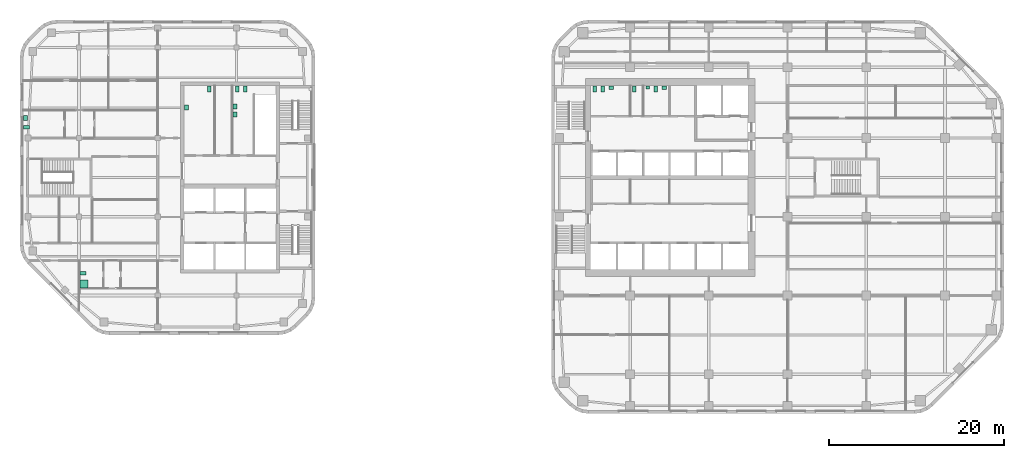
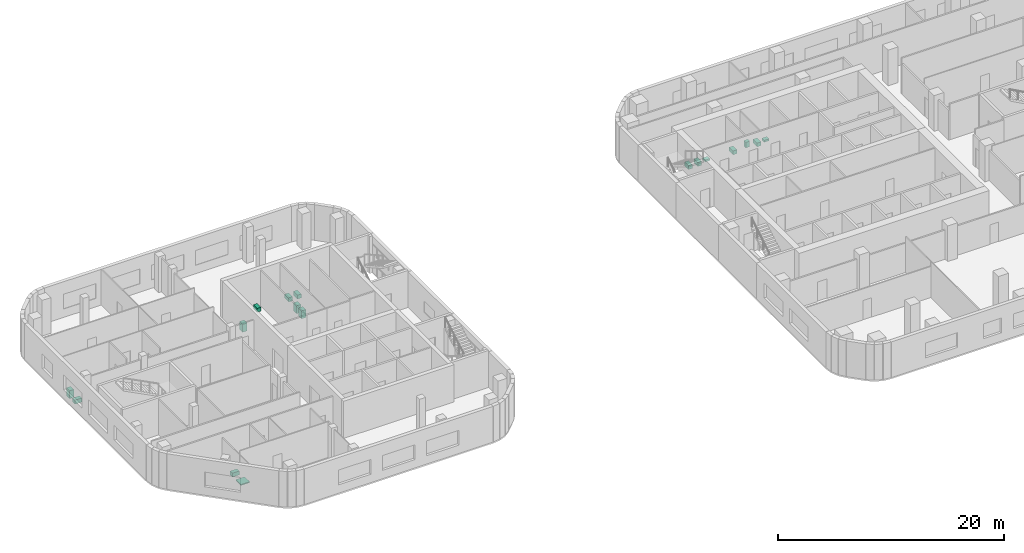
# One storey, part 14 of 14: 17 sanitary terminals.
"""IFC4 building model written with IfcOpenShell, lengths in metres."""

from ifc_helpers import new_model, si_unit, direction, frame, origin, origin_2d, place, context, subcontext, project, spatial, rectangle, extrude, material, type_object, element, save


model = new_model("IFC4")

# Units and contexts
model_context = context("Model", 3, precision=1e-05, world=origin(), true_north=direction((0.0, 1.0)))
body_context = subcontext(model_context, "Body", "Model", "MODEL_VIEW")
ifc_project = project(units=[si_unit("LENGTHUNIT", "METRE"), si_unit("AREAUNIT", "SQUARE_METRE"), si_unit("VOLUMEUNIT", "CUBIC_METRE"), si_unit("PLANEANGLEUNIT", "RADIAN"), si_unit("MASSUNIT", "GRAM", prefix="KILO")], contexts=[model_context])

# Site, building, storey
site_placement = place(None, origin())
site = spatial("IfcSite", under=ifc_project, at=site_placement, CompositionType="ELEMENT")
building_placement = place(site_placement, origin())
building = spatial("IfcBuilding", under=site, at=building_placement, Name="Cinnabar Reach Civic Tower", CompositionType="ELEMENT")
storey_placement = place(building_placement, frame((0.0, 0.0, 108.0)))
storey = spatial("IfcBuildingStorey", under=building, at=storey_placement, Name="L25", CompositionType="ELEMENT", Elevation=108.0)

# Sanitary terminals
ifc_material_1 = material(Name="Vitreous china")
sanitary_terminal_type_1 = type_object("IfcSanitaryTerminalType", Name="T1 WC pan", PredefinedType="TOILETPAN", material=ifc_material_1)
for number, where, z_axis, x_axis, name in (
    (1, (4.95, 41.6, 0.0), (0.0, 0.0, 1.0), (1.0, 0.0, 0.0), "T1 WC pan 2507-1"),
    (2, (5.9, 41.6, 0.0), (0.0, 0.0, 1.0), (1.0, 0.0, 0.0), "T1 WC pan 2507-2"),
    (3, (9.5, 41.6, 0.0), (0.0, 0.0, 1.0), (1.0, 0.0, 0.0), "T1 WC pan 2508-1"),
    (4, (11.95, 41.6, 0.0), (0.0, 0.0, 1.0), (1.0, 0.0, 0.0), "T1 WC pan 2509-2"),
):
    element("IfcSanitaryTerminal", number, at=place(storey_placement, frame(where, z_axis=z_axis, x_axis=x_axis)), inside=storey, type_object=sanitary_terminal_type_1, Name=name, PredefinedType="TOILETPAN", context=body_context, shape_type="SweptSolid", body=[
        extrude(rectangle(XDim=0.4, YDim=0.7, at=origin_2d()), origin(), (0.0, 0.0, 1.0), 0.4),
    ])
sanitary_terminal_type_2 = type_object("IfcSanitaryTerminalType", Name="T1 urinal", PredefinedType="URINAL", material=ifc_material_1)
sanitary_terminal_1_placement = place(storey_placement, frame((11.0, 41.775, 0.0), z_axis=(0.0, 0.0, 1.0), x_axis=(1.0, 0.0, 0.0)))
element("IfcSanitaryTerminal", 5, at=sanitary_terminal_1_placement, inside=storey, type_object=sanitary_terminal_type_2, Name="T1 urinal 2509-1", PredefinedType="URINAL", context=body_context, shape_type="SweptSolid", body=[
    extrude(rectangle(XDim=0.4, YDim=0.35, at=origin_2d()), origin(), (0.0, 0.0, 1.0), 0.6),
])
sanitary_terminal_type_3 = type_object("IfcSanitaryTerminalType", Name="T1 wash basin", PredefinedType="WASHHANDBASIN", material=ifc_material_1)
for number, where, z_axis, x_axis, name in (
    (6, (6.85, 41.74, 0.0), (0.0, 0.0, 1.0), (1.0, 0.0, 0.0), "T1 wash basin 2507-3"),
    (7, (12.9, 41.74, 0.0), (0.0, 0.0, 1.0), (1.0, 0.0, 0.0), "T1 wash basin 2509-3"),
):
    element("IfcSanitaryTerminal", number, at=place(storey_placement, frame(where, z_axis=z_axis, x_axis=x_axis)), inside=storey, type_object=sanitary_terminal_type_3, Name=name, PredefinedType="WASHHANDBASIN", context=body_context, shape_type="SweptSolid", body=[
        extrude(rectangle(XDim=0.5, YDim=0.42, at=origin_2d()), origin(), (0.0, 0.0, 1.0), 0.2),
    ])
ifc_material_2 = material(Name="Acrylic tray")
sanitary_terminal_type_4 = type_object("IfcSanitaryTerminalType", Name="T2 Shower tray", PredefinedType="SHOWER", material=ifc_material_2)
sanitary_terminal_2_placement = place(storey_placement, frame((-53.45, 19.3, 0.0), z_axis=(0.0, 0.0, 1.0), x_axis=(1.0, 0.0, 0.0)))
element("IfcSanitaryTerminal", 8, at=sanitary_terminal_2_placement, inside=storey, type_object=sanitary_terminal_type_4, Name="Shower tray", PredefinedType="SHOWER", context=body_context, shape_type="SweptSolid", body=[
    extrude(rectangle(XDim=0.9, YDim=0.9, at=origin_2d()), origin(), (0.0, 0.0, 1.0), 0.1),
])
sanitary_terminal_type_5 = type_object("IfcSanitaryTerminalType", Name="T2 WC pan", PredefinedType="TOILETPAN", material=ifc_material_1)
for number, where, z_axis, x_axis, name in (
    (9, (-39.1, 41.6, 0.0), (0.0, 0.0, 1.0), (1.0, 0.0, 0.0), "WC pan"),
    (10, (-35.9, 41.6, 0.0), (0.0, 0.0, 1.0), (1.0, 0.0, 0.0), "WC pan"),
    (11, (-35.0, 41.6, 0.0), (0.0, 0.0, 1.0), (1.0, 0.0, 0.0), "WC pan"),
):
    element("IfcSanitaryTerminal", number, at=place(storey_placement, frame(where, z_axis=z_axis, x_axis=x_axis)), inside=storey, type_object=sanitary_terminal_type_5, Name=name, PredefinedType="TOILETPAN", context=body_context, shape_type="SweptSolid", body=[
        extrude(rectangle(XDim=0.4, YDim=0.7, at=origin_2d()), origin(), (0.0, 0.0, 1.0), 0.42),
    ])
for number, where, z_axis, x_axis, name in (
    (12, (-53.55, 20.55, 0.0), (0.0, 0.0, 1.0), (1.0, 0.0, 0.0), "WC pan"),
    (13, (-59.99, 37.25, 0.0), (0.0, 0.0, 1.0), (1.0, 0.0, 0.0), "WC pan"),
):
    element("IfcSanitaryTerminal", number, at=place(storey_placement, frame(where, z_axis=z_axis, x_axis=x_axis)), inside=storey, type_object=sanitary_terminal_type_5, Name=name, PredefinedType="TOILETPAN", context=body_context, shape_type="SweptSolid", body=[
        extrude(rectangle(XDim=0.7, YDim=0.4, at=origin_2d()), origin(), (0.0, 0.0, 1.0), 0.42),
    ])
sanitary_terminal_type_6 = type_object("IfcSanitaryTerminalType", Name="T2 Wash basin", PredefinedType="WASHHANDBASIN", material=ifc_material_1)
for number, where, z_axis, x_axis, name in (
    (14, (-41.725, 39.5, 0.0), (0.0, 0.0, 1.0), (1.0, 0.0, 0.0), "Wash basin"),
    (15, (-36.175, 39.6, 0.0), (0.0, 0.0, 1.0), (1.0, 0.0, 0.0), "Wash basin"),
    (16, (-36.175, 38.7, 0.0), (0.0, 0.0, 1.0), (1.0, 0.0, 0.0), "Wash basin"),
    (17, (-60.115, 38.3, 0.0), (0.0, 0.0, 1.0), (1.0, 0.0, 0.0), "Wash basin"),
):
    element("IfcSanitaryTerminal", number, at=place(storey_placement, frame(where, z_axis=z_axis, x_axis=x_axis)), inside=storey, type_object=sanitary_terminal_type_6, Name=name, PredefinedType="WASHHANDBASIN", context=body_context, shape_type="SweptSolid", body=[
        extrude(rectangle(XDim=0.45, YDim=0.55, at=origin_2d()), origin(), (0.0, 0.0, 1.0), 0.85),
    ])

save(model, "model.ifc")
